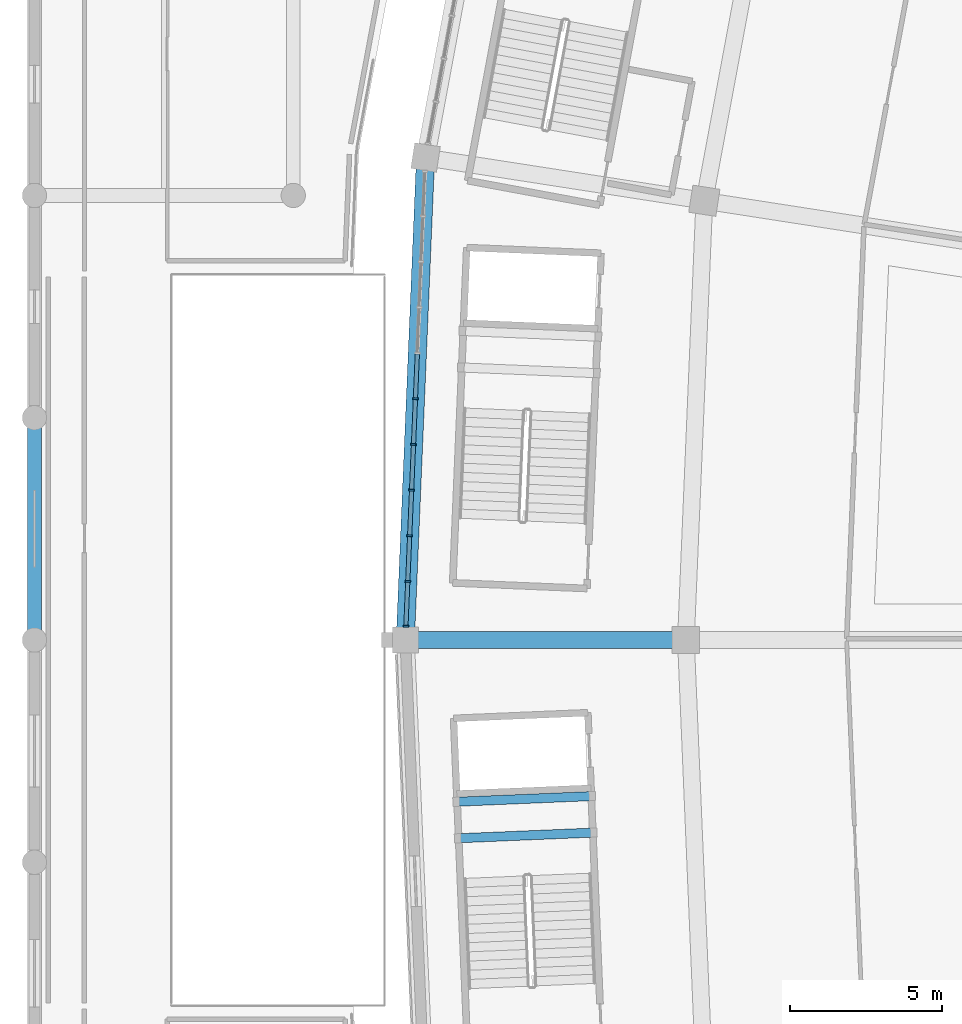
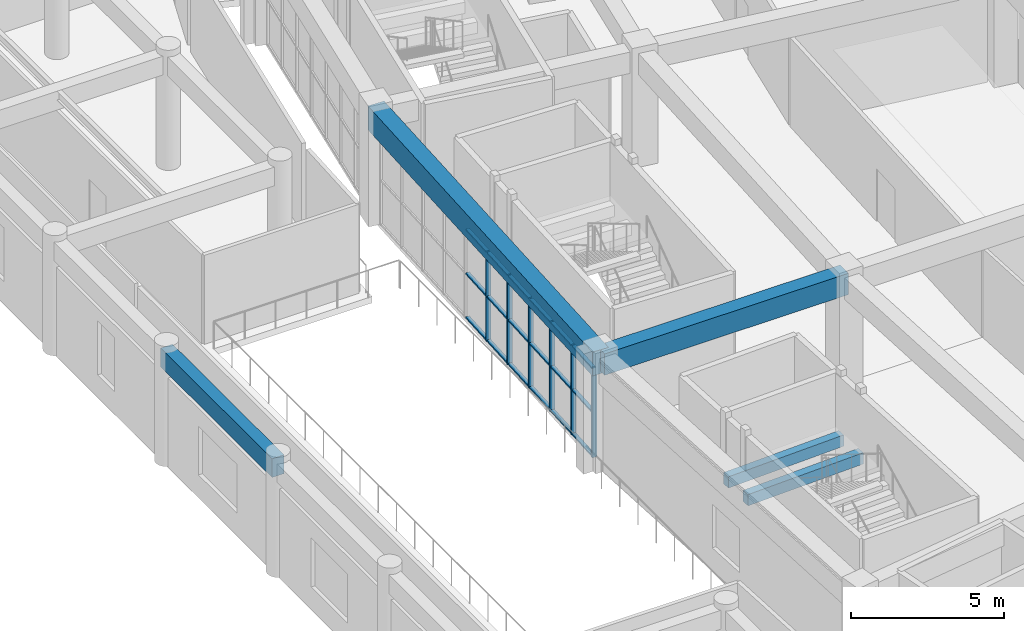
# One storey, part 28 of 152: 24 members, 5 beams, 1 element without a shape of its own.
"""IFC4 building model written with IfcOpenShell, lengths in metres."""

from ifc_helpers import new_model, si_unit, direction, frame, origin, origin_2d, place, context, subcontext, project, spatial, rectangle, extrude, material, layer, layer_set, material_profile, profile_set, type_object, element, aggregate, save


model = new_model("IFC4")

# Units and contexts
model_context = context("Model", 3, precision=1e-05, world=origin(), true_north=direction((0.0, 1.0)))
body_context = subcontext(model_context, "Body", "Model", "MODEL_VIEW")
ifc_project = project(units=[si_unit("LENGTHUNIT", "METRE"), si_unit("AREAUNIT", "SQUARE_METRE"), si_unit("VOLUMEUNIT", "CUBIC_METRE"), si_unit("PLANEANGLEUNIT", "RADIAN"), si_unit("MASSUNIT", "GRAM", prefix="KILO")], contexts=[model_context])

# Site, building, storey
site_placement = place(None, origin())
site = spatial("IfcSite", under=ifc_project, at=site_placement, CompositionType="ELEMENT")
building_placement = place(site_placement, origin())
building = spatial("IfcBuilding", under=site, at=building_placement, Name="Mphavela Belvedere Stadium", CompositionType="ELEMENT")
storey_placement = place(building_placement, frame((0.0, 0.0, 5.39990234375)))
storey = spatial("IfcBuildingStorey", under=building, at=storey_placement, Name="L01", CompositionType="ELEMENT", Elevation=5.39990234375)

# Beams
ifc_material_1 = material(Name="Concrete C40/50", Category="concrete")
ifc_material_profile_1 = material_profile(ifc_material_1, rectangle(XDim=0.60009765625, YDim=0.949951171875, at=origin_2d()), Name="RC 600x950")
ifc_profile_set_1 = profile_set([ifc_material_profile_1], Name="Concrete C40/50")
beam_type_1 = type_object("IfcBeamType", Name="BM-ENTABLATURE-950", PredefinedType="SPANDREL", material=ifc_profile_set_1)
beam_1_placement = place(storey_placement, frame((12.844482421875, 102.844970703125, 4.0751953125), z_axis=(-0.041903963155, -0.999121643181, 0.0), x_axis=(0.999121643181, -0.041903963155, 0.0)))
element("IfcBeam", 1, at=beam_1_placement, inside=storey, type_object=beam_type_1, Name="Circumferential girder L01 R4-24", PredefinedType="SPANDREL", context=body_context, shape_type="SweptSolid", body=[
    extrude(rectangle(XDim=0.60009765625, YDim=0.949951171875, at=origin_2d()), origin(), (0.0, 0.0, 1.0), 15.85888671875),
])
ifc_material_2 = material(Name="Concrete C40/50", Category="concrete")
ifc_material_profile_2 = material_profile(ifc_material_2, rectangle(XDim=0.300048828125, YDim=0.449951171875, at=origin_2d()), Name="RC 300x450")
ifc_profile_set_2 = profile_set([ifc_material_profile_2], Name="Concrete C40/50")
beam_type_2 = type_object("IfcBeamType", Name="BM-RC300x450", PredefinedType="BEAM", material=ifc_profile_set_2)
for number, where, z_axis, x_axis, name in (
    (2, (18.367919921875, 80.674560546875, 1.97509765625), (-0.999122153252, -0.04189179968, 0.0), (0.04189179968, -0.999122153252, 0.0), "Core C08 landing trimmer beam L01-1"),
    (3, (18.317626953125, 81.87353515625, 1.97509765625), (-0.999122153252, -0.04189179968, 0.0), (0.04189179968, -0.999122153252, 0.0), "Core C08 landing trimmer beam L01-2"),
):
    element("IfcBeam", number, at=place(storey_placement, frame(where, z_axis=z_axis, x_axis=x_axis)), inside=storey, type_object=beam_type_2, Name=name, PredefinedType="BEAM", context=body_context, shape_type="SweptSolid", body=[
        extrude(rectangle(XDim=0.300048828125, YDim=0.449951171875, at=origin_2d()), origin(), (0.0, 0.0, 1.0), 4.469970703125),
    ])
ifc_material_3 = material(Name="Concrete C40/50", Category="concrete")
ifc_material_profile_3 = material_profile(ifc_material_3, rectangle(XDim=0.449951171875, YDim=0.75, at=origin_2d()), Name="RC 450x750")
ifc_profile_set_3 = profile_set([ifc_material_profile_3], Name="Concrete C40/50")
beam_type_3 = type_object("IfcBeamType", Name="BM-RC450x750", PredefinedType="BEAM", material=ifc_profile_set_3)
beam_2_placement = place(storey_placement, frame((0.0, 87.0, 4.1650390625), z_axis=(0.0, 1.0, 0.0), x_axis=(-1.0, 0.0, 0.0)))
element("IfcBeam", 4, at=beam_2_placement, inside=storey, type_object=beam_type_3, Name="West Planted Eaves Peristyle Colonnade entablature beam Y L01 1-6", PredefinedType="BEAM", context=body_context, shape_type="SweptSolid", body=[
    extrude(rectangle(XDim=0.449951171875, YDim=0.75, at=origin_2d()), origin(), (0.0, 0.0, 1.0), 7.300048828125),
])
ifc_material_4 = material(Name="Concrete C40/50", Category="concrete")
ifc_material_profile_4 = material_profile(ifc_material_4, rectangle(XDim=0.550048828125, YDim=0.85009765625, at=origin_2d()), Name="RC 550x850")
ifc_profile_set_4 = profile_set([ifc_material_profile_4], Name="Concrete C40/50")
beam_type_4 = type_object("IfcBeamType", Name="BM-RC550x850", PredefinedType="BEAM", material=ifc_profile_set_4)
beam_3_placement = place(storey_placement, frame((21.39501953125, 87.0, 4.125), z_axis=(-1.0, 0.0, 0.0), x_axis=(0.0, -1.0, 0.0)))
element("IfcBeam", 5, at=beam_3_placement, inside=storey, type_object=beam_type_4, Name="Radial concourse girder L01 R3R4-25", PredefinedType="BEAM", context=body_context, shape_type="SweptSolid", body=[
    extrude(rectangle(XDim=0.550048828125, YDim=0.85009765625, at=origin_2d()), origin(), (0.0, 0.0, 1.0), 9.215087890625),
])

# Curtain wall, members
ifc_material_5 = material(Name="Anodised bronze unitised curtain wall framing")
ifc_layer = layer(ifc_material_5, 0.18994140625)
ifc_layer_set = layer_set([ifc_layer], Name="Anodised bronze unitised curtain wall framing")
curtain_wall_type = type_object("IfcCurtainWallType", Name="CW-UNIT-03", PredefinedType="USERDEFINED", material=ifc_layer_set)
curtain_wall_placement = place(storey_placement, origin())
curtain_wall = element("IfcCurtainWall", 6, at=curtain_wall_placement, inside=storey, type_object=curtain_wall_type, Name="Belvedere colonnade curtain wall L01-24", ObjectType="UNITISED CURTAIN WALL", PredefinedType="USERDEFINED")
ifc_material_6 = material(Name="Anodised bronze extruded aluminium", Category="aluminium")
ifc_material_profile_5 = material_profile(ifc_material_6, rectangle(XDim=0.179931640625, YDim=0.06494140625, at=origin_2d()), Name="CW-MUL 180x65")
ifc_profile_set_5 = profile_set([ifc_material_profile_5], Name="Anodised bronze extruded aluminium")
member_type_1 = type_object("IfcMemberType", Name="CWM-180x65", PredefinedType="MULLION", material=ifc_profile_set_5)
member_1_placement = place(storey_placement, frame((12.51220703125, 94.922607421875, 0.0), z_axis=(0.0, 0.0, 1.0), x_axis=(0.999121374449, -0.04191037006, 0.0)))
member_1 = element("IfcMember", 7, at=member_1_placement, type_object=member_type_1, Name="CW-03 mullion 6", PredefinedType="MULLION", context=body_context, shape_type="SweptSolid", body=[
    extrude(rectangle(XDim=0.179931640625, YDim=0.06494140625, at=origin_2d()), origin(), (0.0, 0.0, 1.0), 3.570068359375),
])
member_2_placement = place(storey_placement, frame((12.449462890625, 93.422607421875, 0.0), z_axis=(0.0, 0.0, 1.0), x_axis=(0.999121374449, -0.04191037006, 0.0)))
member_2 = element("IfcMember", 8, at=member_2_placement, type_object=member_type_1, Name="CW-03 mullion 7", PredefinedType="MULLION", context=body_context, shape_type="SweptSolid", body=[
    extrude(rectangle(XDim=0.179931640625, YDim=0.06494140625, at=origin_2d()), origin(), (0.0, 0.0, 1.0), 3.570068359375),
])
member_3_placement = place(storey_placement, frame((12.386474609375, 91.922607421875, 0.0), z_axis=(0.0, 0.0, 1.0), x_axis=(0.999121374449, -0.04191037006, 0.0)))
member_3 = element("IfcMember", 9, at=member_3_placement, type_object=member_type_1, Name="CW-03 mullion 8", PredefinedType="MULLION", context=body_context, shape_type="SweptSolid", body=[
    extrude(rectangle(XDim=0.179931640625, YDim=0.06494140625, at=origin_2d()), origin(), (0.0, 0.0, 1.0), 3.570068359375),
])
member_4_placement = place(storey_placement, frame((12.323486328125, 90.422607421875, 0.0), z_axis=(0.0, 0.0, 1.0), x_axis=(0.999121374449, -0.04191037006, 0.0)))
member_4 = element("IfcMember", 10, at=member_4_placement, type_object=member_type_1, Name="CW-03 mullion 9", PredefinedType="MULLION", context=body_context, shape_type="SweptSolid", body=[
    extrude(rectangle(XDim=0.179931640625, YDim=0.06494140625, at=origin_2d()), origin(), (0.0, 0.0, 1.0), 3.570068359375),
])
member_5_placement = place(storey_placement, frame((12.260498046875, 88.922607421875, 0.0), z_axis=(0.0, 0.0, 1.0), x_axis=(0.999121374449, -0.04191037006, 0.0)))
member_5 = element("IfcMember", 11, at=member_5_placement, type_object=member_type_1, Name="CW-03 mullion 10", PredefinedType="MULLION", context=body_context, shape_type="SweptSolid", body=[
    extrude(rectangle(XDim=0.179931640625, YDim=0.06494140625, at=origin_2d()), origin(), (0.0, 0.0, 1.0), 3.570068359375),
])
member_6_placement = place(storey_placement, frame((12.198974609375, 87.455078125, 0.0), z_axis=(0.0, 0.0, 1.0), x_axis=(0.999121374449, -0.04191037006, 0.0)))
member_6 = element("IfcMember", 12, at=member_6_placement, type_object=member_type_1, Name="CW-03 mullion 11", PredefinedType="MULLION", context=body_context, shape_type="SweptSolid", body=[
    extrude(rectangle(XDim=0.179931640625, YDim=0.06494140625, at=origin_2d()), origin(), (0.0, 0.0, 1.0), 3.570068359375),
])
ifc_material_7 = material(Name="Anodised bronze extruded aluminium", Category="aluminium")
ifc_material_profile_6 = material_profile(ifc_material_7, rectangle(XDim=0.139892578125, YDim=0.06005859375, at=origin_2d()), Name="CW-TRN 140x60")
ifc_profile_set_6 = profile_set([ifc_material_profile_6], Name="Anodised bronze extruded aluminium")
member_type_2 = type_object("IfcMemberType", Name="CWT-140x60", PredefinedType="USERDEFINED", material=ifc_profile_set_6)
member_7_placement = place(storey_placement, frame((12.573974609375, 96.389892578125, 0.030029296875), z_axis=(-0.041991176017, -0.99911798159, 0.0), x_axis=(0.99911798159, -0.041991176017, 0.0)))
member_7 = element("IfcMember", 13, at=member_7_placement, type_object=member_type_2, Name="CW-03 transom 5.1", ObjectType="TRANSOM", PredefinedType="USERDEFINED", context=body_context, shape_type="SweptSolid", body=[
    extrude(rectangle(XDim=0.139892578125, YDim=0.06005859375, at=origin_2d()), origin(), (0.0, 0.0, 1.0), 1.43603515625),
])
member_8_placement = place(storey_placement, frame((12.573974609375, 96.389892578125, 1.78515625), z_axis=(-0.041991176017, -0.99911798159, 0.0), x_axis=(0.99911798159, -0.041991176017, 0.0)))
member_8 = element("IfcMember", 14, at=member_8_placement, type_object=member_type_2, Name="CW-03 transom 5.2", ObjectType="TRANSOM", PredefinedType="USERDEFINED", context=body_context, shape_type="SweptSolid", body=[
    extrude(rectangle(XDim=0.139892578125, YDim=0.06005859375, at=origin_2d()), origin(), (0.0, 0.0, 1.0), 1.43603515625),
])
member_9_placement = place(storey_placement, frame((12.573974609375, 96.389892578125, 3.5400390625), z_axis=(-0.041991176017, -0.99911798159, 0.0), x_axis=(0.99911798159, -0.041991176017, 0.0)))
member_9 = element("IfcMember", 15, at=member_9_placement, type_object=member_type_2, Name="CW-03 transom 5.3", ObjectType="TRANSOM", PredefinedType="USERDEFINED", context=body_context, shape_type="SweptSolid", body=[
    extrude(rectangle(XDim=0.139892578125, YDim=0.06005859375, at=origin_2d()), origin(), (0.0, 0.0, 1.0), 1.43603515625),
])
member_10_placement = place(storey_placement, frame((12.510986328125, 94.89013671875, 0.030029296875), z_axis=(-0.041984044824, -0.999118281276, 0.0), x_axis=(0.999118281276, -0.041984044824, 0.0)))
member_10 = element("IfcMember", 16, at=member_10_placement, type_object=member_type_2, Name="CW-03 transom 6.1", ObjectType="TRANSOM", PredefinedType="USERDEFINED", context=body_context, shape_type="SweptSolid", body=[
    extrude(rectangle(XDim=0.139892578125, YDim=0.06005859375, at=origin_2d()), origin(), (0.0, 0.0, 1.0), 1.436279296875),
])
member_11_placement = place(storey_placement, frame((12.510986328125, 94.89013671875, 1.78515625), z_axis=(-0.041984044824, -0.999118281276, 0.0), x_axis=(0.999118281276, -0.041984044824, 0.0)))
member_11 = element("IfcMember", 17, at=member_11_placement, type_object=member_type_2, Name="CW-03 transom 6.2", ObjectType="TRANSOM", PredefinedType="USERDEFINED", context=body_context, shape_type="SweptSolid", body=[
    extrude(rectangle(XDim=0.139892578125, YDim=0.06005859375, at=origin_2d()), origin(), (0.0, 0.0, 1.0), 1.436279296875),
])
member_12_placement = place(storey_placement, frame((12.510986328125, 94.89013671875, 3.5400390625), z_axis=(-0.041984044824, -0.999118281276, 0.0), x_axis=(0.999118281276, -0.041984044824, 0.0)))
member_12 = element("IfcMember", 18, at=member_12_placement, type_object=member_type_2, Name="CW-03 transom 6.3", ObjectType="TRANSOM", PredefinedType="USERDEFINED", context=body_context, shape_type="SweptSolid", body=[
    extrude(rectangle(XDim=0.139892578125, YDim=0.06005859375, at=origin_2d()), origin(), (0.0, 0.0, 1.0), 1.436279296875),
])
member_13_placement = place(storey_placement, frame((12.447998046875, 93.39013671875, 0.030029296875), z_axis=(-0.04181436673, -0.999125396902, 0.0), x_axis=(0.999125396902, -0.04181436673, 0.0)))
member_13 = element("IfcMember", 19, at=member_13_placement, type_object=member_type_2, Name="CW-03 transom 7.1", ObjectType="TRANSOM", PredefinedType="USERDEFINED", context=body_context, shape_type="SweptSolid", body=[
    extrude(rectangle(XDim=0.139892578125, YDim=0.06005859375, at=origin_2d()), origin(), (0.0, 0.0, 1.0), 1.436279296875),
])
member_14_placement = place(storey_placement, frame((12.447998046875, 93.39013671875, 1.78515625), z_axis=(-0.04181436673, -0.999125396902, 0.0), x_axis=(0.999125396902, -0.04181436673, 0.0)))
member_14 = element("IfcMember", 20, at=member_14_placement, type_object=member_type_2, Name="CW-03 transom 7.2", ObjectType="TRANSOM", PredefinedType="USERDEFINED", context=body_context, shape_type="SweptSolid", body=[
    extrude(rectangle(XDim=0.139892578125, YDim=0.06005859375, at=origin_2d()), origin(), (0.0, 0.0, 1.0), 1.436279296875),
])
member_15_placement = place(storey_placement, frame((12.447998046875, 93.39013671875, 3.5400390625), z_axis=(-0.04181436673, -0.999125396902, 0.0), x_axis=(0.999125396902, -0.04181436673, 0.0)))
member_15 = element("IfcMember", 21, at=member_15_placement, type_object=member_type_2, Name="CW-03 transom 7.3", ObjectType="TRANSOM", PredefinedType="USERDEFINED", context=body_context, shape_type="SweptSolid", body=[
    extrude(rectangle(XDim=0.139892578125, YDim=0.06005859375, at=origin_2d()), origin(), (0.0, 0.0, 1.0), 1.436279296875),
])
member_16_placement = place(storey_placement, frame((12.385009765625, 91.89013671875, 0.030029296875), z_axis=(-0.04181436673, -0.999125396902, 0.0), x_axis=(0.999125396902, -0.04181436673, 0.0)))
member_16 = element("IfcMember", 22, at=member_16_placement, type_object=member_type_2, Name="CW-03 transom 8.1", ObjectType="TRANSOM", PredefinedType="USERDEFINED", context=body_context, shape_type="SweptSolid", body=[
    extrude(rectangle(XDim=0.139892578125, YDim=0.06005859375, at=origin_2d()), origin(), (0.0, 0.0, 1.0), 1.436279296875),
])
member_17_placement = place(storey_placement, frame((12.385009765625, 91.89013671875, 1.78515625), z_axis=(-0.04181436673, -0.999125396902, 0.0), x_axis=(0.999125396902, -0.04181436673, 0.0)))
member_17 = element("IfcMember", 23, at=member_17_placement, type_object=member_type_2, Name="CW-03 transom 8.2", ObjectType="TRANSOM", PredefinedType="USERDEFINED", context=body_context, shape_type="SweptSolid", body=[
    extrude(rectangle(XDim=0.139892578125, YDim=0.06005859375, at=origin_2d()), origin(), (0.0, 0.0, 1.0), 1.436279296875),
])
member_18_placement = place(storey_placement, frame((12.385009765625, 91.89013671875, 3.5400390625), z_axis=(-0.04181436673, -0.999125396902, 0.0), x_axis=(0.999125396902, -0.04181436673, 0.0)))
member_18 = element("IfcMember", 24, at=member_18_placement, type_object=member_type_2, Name="CW-03 transom 8.3", ObjectType="TRANSOM", PredefinedType="USERDEFINED", context=body_context, shape_type="SweptSolid", body=[
    extrude(rectangle(XDim=0.139892578125, YDim=0.06005859375, at=origin_2d()), origin(), (0.0, 0.0, 1.0), 1.436279296875),
])
member_19_placement = place(storey_placement, frame((12.322265625, 90.39013671875, 0.030029296875), z_axis=(-0.041984044824, -0.999118281276, 0.0), x_axis=(0.999118281276, -0.041984044824, 0.0)))
member_19 = element("IfcMember", 25, at=member_19_placement, type_object=member_type_2, Name="CW-03 transom 9.1", ObjectType="TRANSOM", PredefinedType="USERDEFINED", context=body_context, shape_type="SweptSolid", body=[
    extrude(rectangle(XDim=0.139892578125, YDim=0.06005859375, at=origin_2d()), origin(), (0.0, 0.0, 1.0), 1.436279296875),
])
member_20_placement = place(storey_placement, frame((12.322265625, 90.39013671875, 1.78515625), z_axis=(-0.041984044824, -0.999118281276, 0.0), x_axis=(0.999118281276, -0.041984044824, 0.0)))
member_20 = element("IfcMember", 26, at=member_20_placement, type_object=member_type_2, Name="CW-03 transom 9.2", ObjectType="TRANSOM", PredefinedType="USERDEFINED", context=body_context, shape_type="SweptSolid", body=[
    extrude(rectangle(XDim=0.139892578125, YDim=0.06005859375, at=origin_2d()), origin(), (0.0, 0.0, 1.0), 1.436279296875),
])
member_21_placement = place(storey_placement, frame((12.322265625, 90.39013671875, 3.5400390625), z_axis=(-0.041984044824, -0.999118281276, 0.0), x_axis=(0.999118281276, -0.041984044824, 0.0)))
member_21 = element("IfcMember", 27, at=member_21_placement, type_object=member_type_2, Name="CW-03 transom 9.3", ObjectType="TRANSOM", PredefinedType="USERDEFINED", context=body_context, shape_type="SweptSolid", body=[
    extrude(rectangle(XDim=0.139892578125, YDim=0.06005859375, at=origin_2d()), origin(), (0.0, 0.0, 1.0), 1.436279296875),
])
member_22_placement = place(storey_placement, frame((12.25927734375, 88.89013671875, 0.030029296875), z_axis=(-0.041912659373, -0.999121278416, 0.0), x_axis=(0.999121278416, -0.041912659373, 0.0)))
member_22 = element("IfcMember", 28, at=member_22_placement, type_object=member_type_2, Name="CW-03 transom 10.1", ObjectType="TRANSOM", PredefinedType="USERDEFINED", context=body_context, shape_type="SweptSolid", body=[
    extrude(rectangle(XDim=0.139892578125, YDim=0.06005859375, at=origin_2d()), origin(), (0.0, 0.0, 1.0), 1.40380859375),
])
member_23_placement = place(storey_placement, frame((12.25927734375, 88.89013671875, 1.78515625), z_axis=(-0.041912659373, -0.999121278416, 0.0), x_axis=(0.999121278416, -0.041912659373, 0.0)))
member_23 = element("IfcMember", 29, at=member_23_placement, type_object=member_type_2, Name="CW-03 transom 10.2", ObjectType="TRANSOM", PredefinedType="USERDEFINED", context=body_context, shape_type="SweptSolid", body=[
    extrude(rectangle(XDim=0.139892578125, YDim=0.06005859375, at=origin_2d()), origin(), (0.0, 0.0, 1.0), 1.40380859375),
])
member_24_placement = place(storey_placement, frame((12.25927734375, 88.89013671875, 3.5400390625), z_axis=(-0.041912659373, -0.999121278416, 0.0), x_axis=(0.999121278416, -0.041912659373, 0.0)))
member_24 = element("IfcMember", 30, at=member_24_placement, type_object=member_type_2, Name="CW-03 transom 10.3", ObjectType="TRANSOM", PredefinedType="USERDEFINED", context=body_context, shape_type="SweptSolid", body=[
    extrude(rectangle(XDim=0.139892578125, YDim=0.06005859375, at=origin_2d()), origin(), (0.0, 0.0, 1.0), 1.40380859375),
])
aggregate(curtain_wall, [member_1, member_2, member_3, member_4, member_5, member_6, member_7, member_8, member_9, member_10, member_11, member_12, member_13, member_14, member_15, member_16, member_17, member_18, member_19, member_20, member_21, member_22, member_23, member_24])

save(model, "model.ifc")
